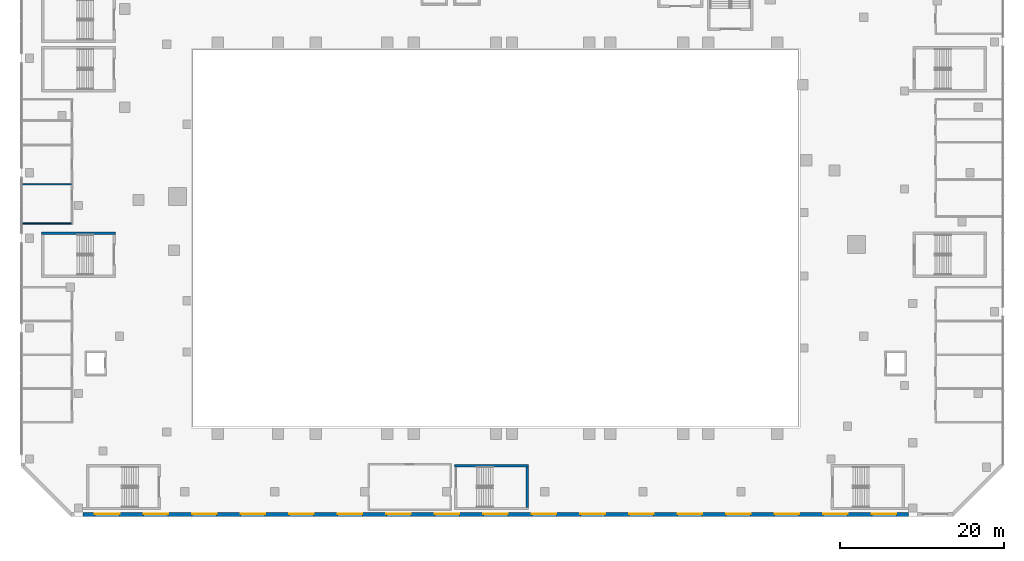
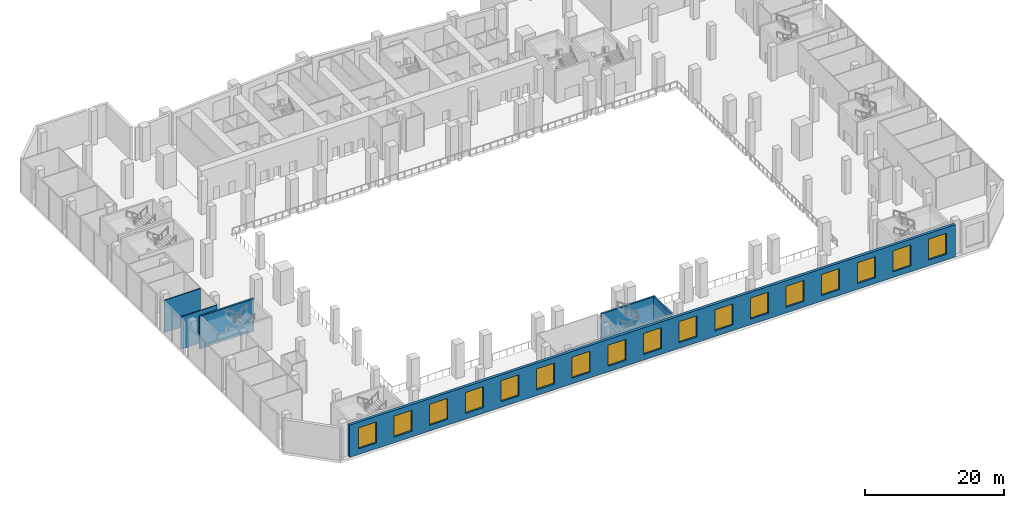
# One storey, part 11 of 30: 17 windows, 6 walls, 17 openings.
"""IFC4 building model written with IfcOpenShell, lengths in metres."""

from ifc_helpers import new_model, si_unit, direction, frame, frame_2d, origin, place, context, subcontext, project, spatial, rectangle, extrude, material, layer, layer_set, type_object, element, fill, save


model = new_model("IFC4")

# Units and contexts
model_context = context("Model", 3, precision=1e-05, world=origin(), true_north=direction((0.0, 1.0)))
body_context = subcontext(model_context, "Body", "Model", "MODEL_VIEW")
ifc_project = project(units=[si_unit("LENGTHUNIT", "METRE"), si_unit("AREAUNIT", "SQUARE_METRE"), si_unit("VOLUMEUNIT", "CUBIC_METRE"), si_unit("PLANEANGLEUNIT", "RADIAN"), si_unit("MASSUNIT", "GRAM", prefix="KILO")], contexts=[model_context])

# Site, building, storey
site_placement = place(None, origin())
site = spatial("IfcSite", under=ifc_project, at=site_placement, CompositionType="ELEMENT")
building_placement = place(site_placement, origin())
building = spatial("IfcBuilding", under=site, at=building_placement, Name="Wharfspan Tower", CompositionType="ELEMENT")
storey_placement = place(building_placement, frame((0.0, 0.0, 21.5)))
storey = spatial("IfcBuildingStorey", under=building, at=storey_placement, Name="L03", CompositionType="ELEMENT", Elevation=21.5)

# Walls
ifc_material_1 = material(Name="Calcium silicate masonry", Category="masonry")
ifc_layer_1 = layer(ifc_material_1, 0.149902)
ifc_layer_set_1 = layer_set([ifc_layer_1], Name="Calcium silicate masonry")
wall_type_1 = type_object("IfcWallType", Name="Podium room wall 150", PredefinedType="PARTITIONING", material=ifc_layer_set_1)
for number, where, z_axis, x_axis, name in (
    (1, (-11.89502, 3.800049, 0.0), (0.0, 0.0, 1.0), (1.0, 0.0, 0.0), "iw:L03:14"),
    (2, (-11.89502, 8.600098, 0.0), (0.0, 0.0, 1.0), (1.0, 0.0, 0.0), "iw:L03:15"),
):
    element("IfcWall", number, at=place(storey_placement, frame(where, z_axis=z_axis, x_axis=x_axis)), inside=storey, type_object=wall_type_1, Name=name, PredefinedType="PARTITIONING", context=body_context, shape_type="SweptSolid", body=[
        extrude(rectangle(XDim=6.02002, YDim=0.149902, at=frame_2d((3.01001, 0.0))), origin(), (0.0, 0.0, 1.0), 5.699951),
    ])
ifc_material_2 = material(Name="Concrete C40/50", Category="concrete")
ifc_layer_2 = layer(ifc_material_2, 0.300049)
ifc_layer_set_2 = layer_set([ifc_layer_2], Name="Concrete C40/50")
wall_type_2 = type_object("IfcWallType", Name="Podium stair core wall 300", PredefinedType="SHEAR", material=ifc_layer_set_2)
wall_1_placement = place(storey_placement, frame((41.0, -25.800049, 0.0), z_axis=(0.0, 0.0, 1.0), x_axis=(1.0, 0.0, 0.0)))
element("IfcWall", 3, at=wall_1_placement, inside=storey, type_object=wall_type_2, Name="iw:L03:AS5N", PredefinedType="SHEAR", context=body_context, shape_type="SweptSolid", body=[
    extrude(rectangle(XDim=9.0, YDim=0.300049, at=frame_2d((4.5, 0.0))), origin(), (0.0, 0.0, 1.0), 5.699951),
])
wall_2_placement = place(storey_placement, frame((49.850098, -30.899902, 0.0), z_axis=(0.0, 0.0, 1.0), x_axis=(0.0, 1.0, 0.0)))
element("IfcWall", 4, at=wall_2_placement, inside=storey, type_object=wall_type_2, Name="iw:L03:AS5E", PredefinedType="SHEAR", context=body_context, shape_type="SweptSolid", body=[
    extrude(rectangle(XDim=4.949951, YDim=0.300049, at=frame_2d((2.475098, 0.0))), origin(), (0.0, 0.0, 1.0), 5.699951),
])
wall_3_placement = place(storey_placement, frame((-9.5, 2.600098, 0.0), z_axis=(0.0, 0.0, 1.0), x_axis=(1.0, 0.0, 0.0)))
element("IfcWall", 5, at=wall_3_placement, inside=storey, type_object=wall_type_2, Name="iw:L03:AS7N", PredefinedType="SHEAR", context=body_context, shape_type="SweptSolid", body=[
    extrude(rectangle(XDim=9.0, YDim=0.300049, at=frame_2d((4.5, 0.0))), origin(), (0.0, 0.0, 1.0), 5.699951),
])

# Wall, openings, windows
ifc_layer_3 = layer(ifc_material_2, 0.449951)
ifc_layer_set_3 = layer_set([ifc_layer_3], Name="Concrete C40/50")
wall_type_3 = type_object("IfcWallType", Name="WALL BOARD-MARKED CONCRETE 450", PredefinedType="SOLIDWALL", material=ifc_layer_set_3)
wall_4_placement = place(storey_placement, frame((-4.449951, -31.774902, 0.0), z_axis=(0.0, 0.0, 1.0), x_axis=(1.0, 0.0, 0.0)))
wall_4 = element("IfcWall", 6, at=wall_4_placement, inside=storey, type_object=wall_type_3, Name="Podium wall PF1", PredefinedType="SOLIDWALL", context=body_context, shape_type="SweptSolid", body=[
    extrude(rectangle(XDim=100.899902, YDim=0.449951, at=frame_2d((50.449951, 0.0))), origin(), (0.0, 0.0, 1.0), 5.699951),
])
opening_1_placement = place(wall_4_placement, frame((1.467529, 0.0, 1.0)))
opening_1 = element("IfcOpeningElement", 7, at=opening_1_placement, cuts=wall_4, Name="Opening EWN3", PredefinedType="OPENING", context=body_context, shape_type="SweptSolid", body=[
    extrude(rectangle(XDim=3.0, YDim=3.699951, at=frame_2d((1.5, 1.850098))), frame((0.0, 0.234863, 0.0), z_axis=(0.0, -1.0, 0.0), x_axis=(1.0, 0.0, 0.0)), (0.0, 0.0, 1.0), 0.469971),
])
opening_2_placement = place(wall_4_placement, frame((7.402832, 0.0, 1.0)))
opening_2 = element("IfcOpeningElement", 8, at=opening_2_placement, cuts=wall_4, Name="Opening EWN3", PredefinedType="OPENING", context=body_context, shape_type="SweptSolid", body=[
    extrude(rectangle(XDim=3.0, YDim=3.699951, at=frame_2d((1.5, 1.850098))), frame((0.0, 0.234863, 0.0), z_axis=(0.0, -1.0, 0.0), x_axis=(1.0, 0.0, 0.0)), (0.0, 0.0, 1.0), 0.469971),
])
opening_3_placement = place(wall_4_placement, frame((13.338135, 0.0, 1.0)))
opening_3 = element("IfcOpeningElement", 9, at=opening_3_placement, cuts=wall_4, Name="Opening EWN3", PredefinedType="OPENING", context=body_context, shape_type="SweptSolid", body=[
    extrude(rectangle(XDim=3.0, YDim=3.699951, at=frame_2d((1.5, 1.850098))), frame((0.0, 0.234863, 0.0), z_axis=(0.0, -1.0, 0.0), x_axis=(1.0, 0.0, 0.0)), (0.0, 0.0, 1.0), 0.469971),
])
opening_4_placement = place(wall_4_placement, frame((19.273438, 0.0, 1.0)))
opening_4 = element("IfcOpeningElement", 10, at=opening_4_placement, cuts=wall_4, Name="Opening EWN3", PredefinedType="OPENING", context=body_context, shape_type="SweptSolid", body=[
    extrude(rectangle(XDim=3.0, YDim=3.699951, at=frame_2d((1.5, 1.850098))), frame((0.0, 0.234863, 0.0), z_axis=(0.0, -1.0, 0.0), x_axis=(1.0, 0.0, 0.0)), (0.0, 0.0, 1.0), 0.469971),
])
opening_5_placement = place(wall_4_placement, frame((25.20874, 0.0, 1.0)))
opening_5 = element("IfcOpeningElement", 11, at=opening_5_placement, cuts=wall_4, Name="Opening EWN3", PredefinedType="OPENING", context=body_context, shape_type="SweptSolid", body=[
    extrude(rectangle(XDim=3.0, YDim=3.699951, at=frame_2d((1.5, 1.850098))), frame((0.0, 0.234863, 0.0), z_axis=(0.0, -1.0, 0.0), x_axis=(1.0, 0.0, 0.0)), (0.0, 0.0, 1.0), 0.469971),
])
opening_6_placement = place(wall_4_placement, frame((31.144043, 0.0, 1.0)))
opening_6 = element("IfcOpeningElement", 12, at=opening_6_placement, cuts=wall_4, Name="Opening EWN3", PredefinedType="OPENING", context=body_context, shape_type="SweptSolid", body=[
    extrude(rectangle(XDim=3.0, YDim=3.699951, at=frame_2d((1.5, 1.850098))), frame((0.0, 0.234863, 0.0), z_axis=(0.0, -1.0, 0.0), x_axis=(1.0, 0.0, 0.0)), (0.0, 0.0, 1.0), 0.469971),
])
opening_7_placement = place(wall_4_placement, frame((37.079346, 0.0, 1.0)))
opening_7 = element("IfcOpeningElement", 13, at=opening_7_placement, cuts=wall_4, Name="Opening EWN3", PredefinedType="OPENING", context=body_context, shape_type="SweptSolid", body=[
    extrude(rectangle(XDim=3.0, YDim=3.699951, at=frame_2d((1.5, 1.850098))), frame((0.0, 0.234863, 0.0), z_axis=(0.0, -1.0, 0.0), x_axis=(1.0, 0.0, 0.0)), (0.0, 0.0, 1.0), 0.469971),
])
opening_8_placement = place(wall_4_placement, frame((43.014648, 0.0, 1.0)))
opening_8 = element("IfcOpeningElement", 14, at=opening_8_placement, cuts=wall_4, Name="Opening EWN3", PredefinedType="OPENING", context=body_context, shape_type="SweptSolid", body=[
    extrude(rectangle(XDim=3.0, YDim=3.699951, at=frame_2d((1.5, 1.850098))), frame((0.0, 0.234863, 0.0), z_axis=(0.0, -1.0, 0.0), x_axis=(1.0, 0.0, 0.0)), (0.0, 0.0, 1.0), 0.469971),
])
opening_9_placement = place(wall_4_placement, frame((48.949951, 0.0, 1.0)))
opening_9 = element("IfcOpeningElement", 15, at=opening_9_placement, cuts=wall_4, Name="Opening EWN3", PredefinedType="OPENING", context=body_context, shape_type="SweptSolid", body=[
    extrude(rectangle(XDim=3.0, YDim=3.699951, at=frame_2d((1.5, 1.850098))), frame((0.0, 0.234863, 0.0), z_axis=(0.0, -1.0, 0.0), x_axis=(1.0, 0.0, 0.0)), (0.0, 0.0, 1.0), 0.469971),
])
opening_10_placement = place(wall_4_placement, frame((54.885254, 0.0, 1.0)))
opening_10 = element("IfcOpeningElement", 16, at=opening_10_placement, cuts=wall_4, Name="Opening EWN3", PredefinedType="OPENING", context=body_context, shape_type="SweptSolid", body=[
    extrude(rectangle(XDim=3.0, YDim=3.699951, at=frame_2d((1.5, 1.850098))), frame((0.0, 0.234863, 0.0), z_axis=(0.0, -1.0, 0.0), x_axis=(1.0, 0.0, 0.0)), (0.0, 0.0, 1.0), 0.469971),
])
opening_11_placement = place(wall_4_placement, frame((60.820557, 0.0, 1.0)))
opening_11 = element("IfcOpeningElement", 17, at=opening_11_placement, cuts=wall_4, Name="Opening EWN3", PredefinedType="OPENING", context=body_context, shape_type="SweptSolid", body=[
    extrude(rectangle(XDim=3.0, YDim=3.699951, at=frame_2d((1.5, 1.850098))), frame((0.0, 0.234863, 0.0), z_axis=(0.0, -1.0, 0.0), x_axis=(1.0, 0.0, 0.0)), (0.0, 0.0, 1.0), 0.469971),
])
opening_12_placement = place(wall_4_placement, frame((66.755859, 0.0, 1.0)))
opening_12 = element("IfcOpeningElement", 18, at=opening_12_placement, cuts=wall_4, Name="Opening EWN3", PredefinedType="OPENING", context=body_context, shape_type="SweptSolid", body=[
    extrude(rectangle(XDim=3.0, YDim=3.699951, at=frame_2d((1.5, 1.850098))), frame((0.0, 0.234863, 0.0), z_axis=(0.0, -1.0, 0.0), x_axis=(1.0, 0.0, 0.0)), (0.0, 0.0, 1.0), 0.469971),
])
opening_13_placement = place(wall_4_placement, frame((72.691162, 0.0, 1.0)))
opening_13 = element("IfcOpeningElement", 19, at=opening_13_placement, cuts=wall_4, Name="Opening EWN3", PredefinedType="OPENING", context=body_context, shape_type="SweptSolid", body=[
    extrude(rectangle(XDim=3.0, YDim=3.699951, at=frame_2d((1.5, 1.850098))), frame((0.0, 0.234863, 0.0), z_axis=(0.0, -1.0, 0.0), x_axis=(1.0, 0.0, 0.0)), (0.0, 0.0, 1.0), 0.469971),
])
opening_14_placement = place(wall_4_placement, frame((78.626465, 0.0, 1.0)))
opening_14 = element("IfcOpeningElement", 20, at=opening_14_placement, cuts=wall_4, Name="Opening EWN3", PredefinedType="OPENING", context=body_context, shape_type="SweptSolid", body=[
    extrude(rectangle(XDim=3.0, YDim=3.699951, at=frame_2d((1.5, 1.850098))), frame((0.0, 0.234863, 0.0), z_axis=(0.0, -1.0, 0.0), x_axis=(1.0, 0.0, 0.0)), (0.0, 0.0, 1.0), 0.469971),
])
opening_15_placement = place(wall_4_placement, frame((84.561768, 0.0, 1.0)))
opening_15 = element("IfcOpeningElement", 21, at=opening_15_placement, cuts=wall_4, Name="Opening EWN3", PredefinedType="OPENING", context=body_context, shape_type="SweptSolid", body=[
    extrude(rectangle(XDim=3.0, YDim=3.699951, at=frame_2d((1.5, 1.850098))), frame((0.0, 0.234863, 0.0), z_axis=(0.0, -1.0, 0.0), x_axis=(1.0, 0.0, 0.0)), (0.0, 0.0, 1.0), 0.469971),
])
opening_16_placement = place(wall_4_placement, frame((90.49707, 0.0, 1.0)))
opening_16 = element("IfcOpeningElement", 22, at=opening_16_placement, cuts=wall_4, Name="Opening EWN3", PredefinedType="OPENING", context=body_context, shape_type="SweptSolid", body=[
    extrude(rectangle(XDim=3.0, YDim=3.699951, at=frame_2d((1.5, 1.850098))), frame((0.0, 0.234863, 0.0), z_axis=(0.0, -1.0, 0.0), x_axis=(1.0, 0.0, 0.0)), (0.0, 0.0, 1.0), 0.469971),
])
opening_17_placement = place(wall_4_placement, frame((96.432373, 0.0, 1.0)))
opening_17 = element("IfcOpeningElement", 23, at=opening_17_placement, cuts=wall_4, Name="Opening EWN3", PredefinedType="OPENING", context=body_context, shape_type="SweptSolid", body=[
    extrude(rectangle(XDim=3.0, YDim=3.699951, at=frame_2d((1.5, 1.850098))), frame((0.0, 0.234863, 0.0), z_axis=(0.0, -1.0, 0.0), x_axis=(1.0, 0.0, 0.0)), (0.0, 0.0, 1.0), 0.469971),
])
ifc_material_3 = material(Name="Aluminium 6063-T6", Category="aluminium")
window_type = type_object("IfcWindowType", Name="WINDOW 3000x3700", PartitioningType="SINGLE_PANEL", PredefinedType="WINDOW", material=ifc_material_3)
window_1_placement = place(opening_1_placement, origin())
window_1 = element("IfcWindow", 24, at=window_1_placement, inside=storey, type_object=window_type, Name="Podium window", OverallHeight=3.699951, OverallWidth=3.0, PartitioningType="SINGLE_PANEL", PredefinedType="WINDOW", context=body_context, shape_type="SweptSolid", body=[
    extrude(rectangle(XDim=3.0, YDim=3.699951, at=frame_2d((1.5, 1.850098))), frame((0.0, 0.10498, 0.0), z_axis=(0.0, -1.0, 0.0), x_axis=(1.0, 0.0, 0.0)), (0.0, 0.0, 1.0), 0.060059),
])
fill(opening_1, window_1)
window_2_placement = place(opening_2_placement, origin())
window_2 = element("IfcWindow", 25, at=window_2_placement, inside=storey, type_object=window_type, Name="Podium window", OverallHeight=3.699951, OverallWidth=3.0, PartitioningType="SINGLE_PANEL", PredefinedType="WINDOW", context=body_context, shape_type="SweptSolid", body=[
    extrude(rectangle(XDim=3.0, YDim=3.699951, at=frame_2d((1.5, 1.850098))), frame((0.0, 0.10498, 0.0), z_axis=(0.0, -1.0, 0.0), x_axis=(1.0, 0.0, 0.0)), (0.0, 0.0, 1.0), 0.060059),
])
fill(opening_2, window_2)
window_3_placement = place(opening_3_placement, origin())
window_3 = element("IfcWindow", 26, at=window_3_placement, inside=storey, type_object=window_type, Name="Podium window", OverallHeight=3.699951, OverallWidth=3.0, PartitioningType="SINGLE_PANEL", PredefinedType="WINDOW", context=body_context, shape_type="SweptSolid", body=[
    extrude(rectangle(XDim=3.0, YDim=3.699951, at=frame_2d((1.5, 1.850098))), frame((0.0, 0.10498, 0.0), z_axis=(0.0, -1.0, 0.0), x_axis=(1.0, 0.0, 0.0)), (0.0, 0.0, 1.0), 0.060059),
])
fill(opening_3, window_3)
window_4_placement = place(opening_4_placement, origin())
window_4 = element("IfcWindow", 27, at=window_4_placement, inside=storey, type_object=window_type, Name="Podium window", OverallHeight=3.699951, OverallWidth=3.0, PartitioningType="SINGLE_PANEL", PredefinedType="WINDOW", context=body_context, shape_type="SweptSolid", body=[
    extrude(rectangle(XDim=3.0, YDim=3.699951, at=frame_2d((1.5, 1.850098))), frame((0.0, 0.10498, 0.0), z_axis=(0.0, -1.0, 0.0), x_axis=(1.0, 0.0, 0.0)), (0.0, 0.0, 1.0), 0.060059),
])
fill(opening_4, window_4)
window_5_placement = place(opening_5_placement, origin())
window_5 = element("IfcWindow", 28, at=window_5_placement, inside=storey, type_object=window_type, Name="Podium window", OverallHeight=3.699951, OverallWidth=3.0, PartitioningType="SINGLE_PANEL", PredefinedType="WINDOW", context=body_context, shape_type="SweptSolid", body=[
    extrude(rectangle(XDim=3.0, YDim=3.699951, at=frame_2d((1.5, 1.850098))), frame((0.0, 0.10498, 0.0), z_axis=(0.0, -1.0, 0.0), x_axis=(1.0, 0.0, 0.0)), (0.0, 0.0, 1.0), 0.060059),
])
fill(opening_5, window_5)
window_6_placement = place(opening_6_placement, origin())
window_6 = element("IfcWindow", 29, at=window_6_placement, inside=storey, type_object=window_type, Name="Podium window", OverallHeight=3.699951, OverallWidth=3.0, PartitioningType="SINGLE_PANEL", PredefinedType="WINDOW", context=body_context, shape_type="SweptSolid", body=[
    extrude(rectangle(XDim=3.0, YDim=3.699951, at=frame_2d((1.5, 1.850098))), frame((0.0, 0.10498, 0.0), z_axis=(0.0, -1.0, 0.0), x_axis=(1.0, 0.0, 0.0)), (0.0, 0.0, 1.0), 0.060059),
])
fill(opening_6, window_6)
window_7_placement = place(opening_7_placement, origin())
window_7 = element("IfcWindow", 30, at=window_7_placement, inside=storey, type_object=window_type, Name="Podium window", OverallHeight=3.699951, OverallWidth=3.0, PartitioningType="SINGLE_PANEL", PredefinedType="WINDOW", context=body_context, shape_type="SweptSolid", body=[
    extrude(rectangle(XDim=3.0, YDim=3.699951, at=frame_2d((1.5, 1.850098))), frame((0.0, 0.10498, 0.0), z_axis=(0.0, -1.0, 0.0), x_axis=(1.0, 0.0, 0.0)), (0.0, 0.0, 1.0), 0.060059),
])
fill(opening_7, window_7)
window_8_placement = place(opening_8_placement, origin())
window_8 = element("IfcWindow", 31, at=window_8_placement, inside=storey, type_object=window_type, Name="Podium window", OverallHeight=3.699951, OverallWidth=3.0, PartitioningType="SINGLE_PANEL", PredefinedType="WINDOW", context=body_context, shape_type="SweptSolid", body=[
    extrude(rectangle(XDim=3.0, YDim=3.699951, at=frame_2d((1.5, 1.850098))), frame((0.0, 0.10498, 0.0), z_axis=(0.0, -1.0, 0.0), x_axis=(1.0, 0.0, 0.0)), (0.0, 0.0, 1.0), 0.060059),
])
fill(opening_8, window_8)
window_9_placement = place(opening_9_placement, origin())
window_9 = element("IfcWindow", 32, at=window_9_placement, inside=storey, type_object=window_type, Name="Podium window", OverallHeight=3.699951, OverallWidth=3.0, PartitioningType="SINGLE_PANEL", PredefinedType="WINDOW", context=body_context, shape_type="SweptSolid", body=[
    extrude(rectangle(XDim=3.0, YDim=3.699951, at=frame_2d((1.5, 1.850098))), frame((0.0, 0.10498, 0.0), z_axis=(0.0, -1.0, 0.0), x_axis=(1.0, 0.0, 0.0)), (0.0, 0.0, 1.0), 0.060059),
])
fill(opening_9, window_9)
window_10_placement = place(opening_10_placement, origin())
window_10 = element("IfcWindow", 33, at=window_10_placement, inside=storey, type_object=window_type, Name="Podium window", OverallHeight=3.699951, OverallWidth=3.0, PartitioningType="SINGLE_PANEL", PredefinedType="WINDOW", context=body_context, shape_type="SweptSolid", body=[
    extrude(rectangle(XDim=3.0, YDim=3.699951, at=frame_2d((1.5, 1.850098))), frame((0.0, 0.10498, 0.0), z_axis=(0.0, -1.0, 0.0), x_axis=(1.0, 0.0, 0.0)), (0.0, 0.0, 1.0), 0.060059),
])
fill(opening_10, window_10)
window_11_placement = place(opening_11_placement, origin())
window_11 = element("IfcWindow", 34, at=window_11_placement, inside=storey, type_object=window_type, Name="Podium window", OverallHeight=3.699951, OverallWidth=3.0, PartitioningType="SINGLE_PANEL", PredefinedType="WINDOW", context=body_context, shape_type="SweptSolid", body=[
    extrude(rectangle(XDim=3.0, YDim=3.699951, at=frame_2d((1.5, 1.850098))), frame((0.0, 0.10498, 0.0), z_axis=(0.0, -1.0, 0.0), x_axis=(1.0, 0.0, 0.0)), (0.0, 0.0, 1.0), 0.060059),
])
fill(opening_11, window_11)
window_12_placement = place(opening_12_placement, origin())
window_12 = element("IfcWindow", 35, at=window_12_placement, inside=storey, type_object=window_type, Name="Podium window", OverallHeight=3.699951, OverallWidth=3.0, PartitioningType="SINGLE_PANEL", PredefinedType="WINDOW", context=body_context, shape_type="SweptSolid", body=[
    extrude(rectangle(XDim=3.0, YDim=3.699951, at=frame_2d((1.5, 1.850098))), frame((0.0, 0.10498, 0.0), z_axis=(0.0, -1.0, 0.0), x_axis=(1.0, 0.0, 0.0)), (0.0, 0.0, 1.0), 0.060059),
])
fill(opening_12, window_12)
window_13_placement = place(opening_13_placement, origin())
window_13 = element("IfcWindow", 36, at=window_13_placement, inside=storey, type_object=window_type, Name="Podium window", OverallHeight=3.699951, OverallWidth=3.0, PartitioningType="SINGLE_PANEL", PredefinedType="WINDOW", context=body_context, shape_type="SweptSolid", body=[
    extrude(rectangle(XDim=3.0, YDim=3.699951, at=frame_2d((1.5, 1.850098))), frame((0.0, 0.10498, 0.0), z_axis=(0.0, -1.0, 0.0), x_axis=(1.0, 0.0, 0.0)), (0.0, 0.0, 1.0), 0.060059),
])
fill(opening_13, window_13)
window_14_placement = place(opening_14_placement, origin())
window_14 = element("IfcWindow", 37, at=window_14_placement, inside=storey, type_object=window_type, Name="Podium window", OverallHeight=3.699951, OverallWidth=3.0, PartitioningType="SINGLE_PANEL", PredefinedType="WINDOW", context=body_context, shape_type="SweptSolid", body=[
    extrude(rectangle(XDim=3.0, YDim=3.699951, at=frame_2d((1.5, 1.850098))), frame((0.0, 0.10498, 0.0), z_axis=(0.0, -1.0, 0.0), x_axis=(1.0, 0.0, 0.0)), (0.0, 0.0, 1.0), 0.060059),
])
fill(opening_14, window_14)
window_15_placement = place(opening_15_placement, origin())
window_15 = element("IfcWindow", 38, at=window_15_placement, inside=storey, type_object=window_type, Name="Podium window", OverallHeight=3.699951, OverallWidth=3.0, PartitioningType="SINGLE_PANEL", PredefinedType="WINDOW", context=body_context, shape_type="SweptSolid", body=[
    extrude(rectangle(XDim=3.0, YDim=3.699951, at=frame_2d((1.5, 1.850098))), frame((0.0, 0.10498, 0.0), z_axis=(0.0, -1.0, 0.0), x_axis=(1.0, 0.0, 0.0)), (0.0, 0.0, 1.0), 0.060059),
])
fill(opening_15, window_15)
window_16_placement = place(opening_16_placement, origin())
window_16 = element("IfcWindow", 39, at=window_16_placement, inside=storey, type_object=window_type, Name="Podium window", OverallHeight=3.699951, OverallWidth=3.0, PartitioningType="SINGLE_PANEL", PredefinedType="WINDOW", context=body_context, shape_type="SweptSolid", body=[
    extrude(rectangle(XDim=3.0, YDim=3.699951, at=frame_2d((1.5, 1.850098))), frame((0.0, 0.10498, 0.0), z_axis=(0.0, -1.0, 0.0), x_axis=(1.0, 0.0, 0.0)), (0.0, 0.0, 1.0), 0.060059),
])
fill(opening_16, window_16)
window_17_placement = place(opening_17_placement, origin())
window_17 = element("IfcWindow", 40, at=window_17_placement, inside=storey, type_object=window_type, Name="Podium window", OverallHeight=3.699951, OverallWidth=3.0, PartitioningType="SINGLE_PANEL", PredefinedType="WINDOW", context=body_context, shape_type="SweptSolid", body=[
    extrude(rectangle(XDim=3.0, YDim=3.699951, at=frame_2d((1.5, 1.850098))), frame((0.0, 0.10498, 0.0), z_axis=(0.0, -1.0, 0.0), x_axis=(1.0, 0.0, 0.0)), (0.0, 0.0, 1.0), 0.060059),
])
fill(opening_17, window_17)

save(model, "model.ifc")
